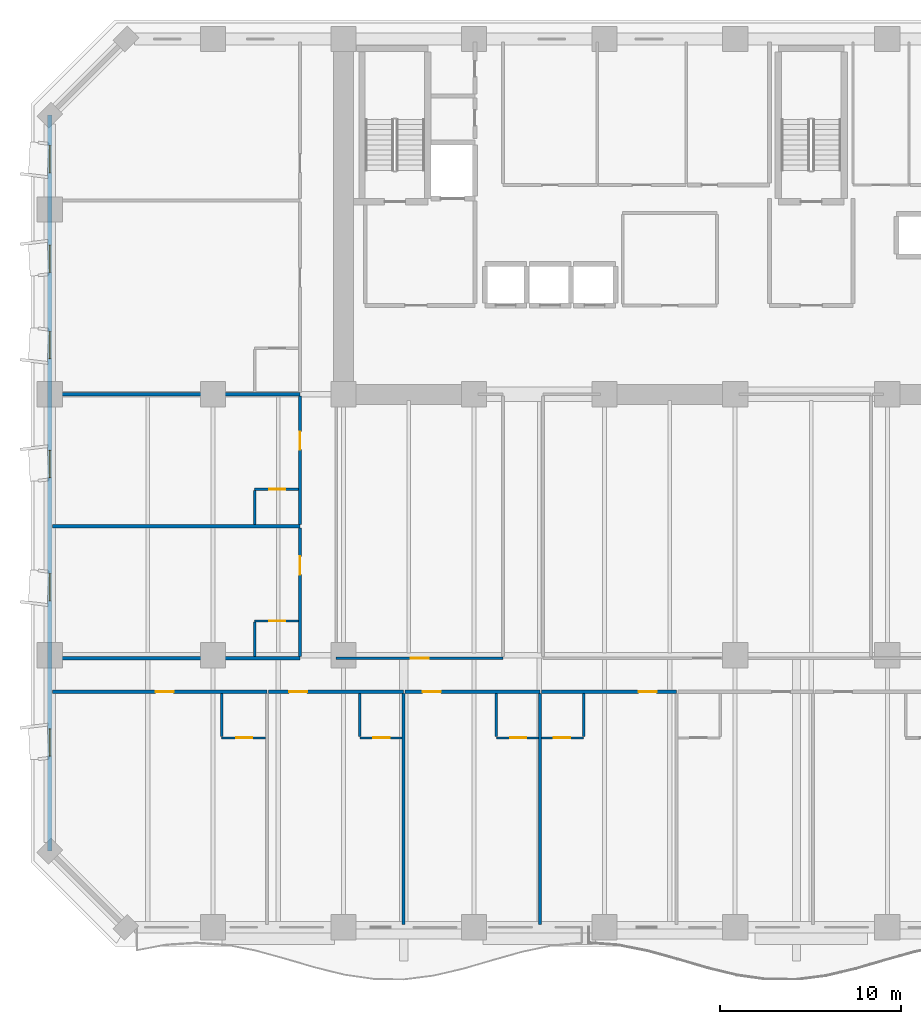
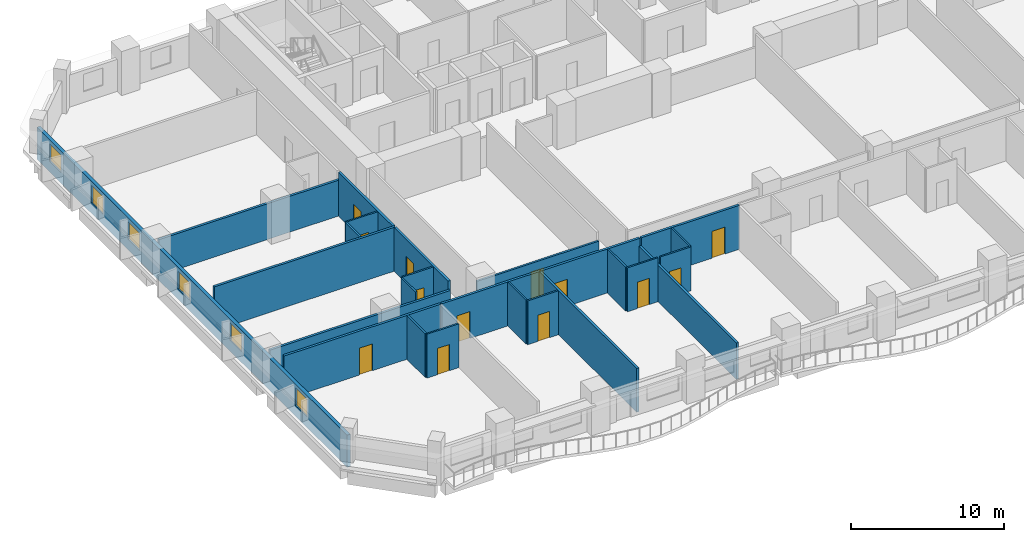
# One storey, part 4 of 15: 25 walls, 13 doors, 6 windows, 19 openings.
"""IFC4 building model written with IfcOpenShell, lengths in metres."""

import ifcopenshell
import ifcopenshell.guid

model = None  # the IFC model being written
_history = None  # IfcOwnerHistory: only IFC2X3 demands one
_inside = {}  # id of a spatial element -> (the spatial element, [elements in it])
_under = {}  # id of a project, library or spatial element -> (it, [spatial elements below it])
_declared = {}  # id of a project -> (the project, [libraries it declares])
_typed = {}  # id of a type object -> (the type object, [elements of that type])
_made_of = {}  # id of a material, layer set ... -> (it, [elements and type objects made of it])


def new_model(schema):
    """Start an empty IFC model of exactly this schema.

    Asked for "IFC4X3", IfcOpenShell would pick the latest addendum, in which some entities
    have other attributes; the version numbers below select the first issue.
    IFC2X3 requires an IfcOwnerHistory on every rooted entity: one is made here for all.
    """
    global model, _history
    if schema == "IFC4X3":
        model = ifcopenshell.file(schema_version=(4, 3, 0, 0))
    else:
        model = ifcopenshell.file(schema=schema)
    _inside.clear()
    _under.clear()
    _declared.clear()
    _typed.clear()
    _made_of.clear()
    _history = None
    if model.schema == "IFC2X3":
        org = make("IfcOrganization", Name="unknown")
        user = make(
            "IfcPersonAndOrganization",
            ThePerson=make("IfcPerson", FamilyName="unknown"),
            TheOrganization=org,
        )
        app = make(
            "IfcApplication",
            ApplicationDeveloper=org,
            Version="unknown",
            ApplicationFullName="unknown",
            ApplicationIdentifier="unknown",
        )
        _history = make(
            "IfcOwnerHistory",
            OwningUser=user,
            OwningApplication=app,
            ChangeAction="ADDED",
            CreationDate=0,
        )
    return model


def make(cls, **values):
    """One entity of the class cls with the attributes given. An attribute that is None is left unset."""
    return model.create_entity(
        cls, **{name: value for name, value in values.items() if value is not None}
    )


def rooted(cls, **values):
    """An entity with a GlobalId (a new one), such as an element, a storey or a relation."""
    return make(cls, GlobalId=ifcopenshell.guid.new(), OwnerHistory=_history, **values)


def si_unit(unit_type, name, prefix=None):
    """IfcSIUnit, for example si_unit("LENGTHUNIT", "METRE", prefix="MILLI")."""
    return make("IfcSIUnit", UnitType=unit_type, Prefix=prefix, Name=name)


def assignment(units):
    """IfcUnitAssignment: the units of a project."""
    return None if units is None else make("IfcUnitAssignment", Units=units)


def point(xyz):
    """IfcCartesianPoint."""
    return None if xyz is None else make("IfcCartesianPoint", Coordinates=xyz)


def direction(xyz):
    """IfcDirection."""
    return None if xyz is None else make("IfcDirection", DirectionRatios=xyz)


def frame(location, z_axis=None, x_axis=None):
    """IfcAxis2Placement3D, a coordinate frame: its origin and axes. An axis left out is left unset."""
    return make(
        "IfcAxis2Placement3D",
        Location=point(location),
        Axis=direction(z_axis),
        RefDirection=direction(x_axis),
    )


def frame_2d(location, x_axis=None):
    """IfcAxis2Placement2D, a coordinate frame in the plane: its origin and x axis."""
    return make(
        "IfcAxis2Placement2D", Location=point(location), RefDirection=direction(x_axis)
    )


def origin():
    """The frame at (0, 0, 0) with its axes left unset."""
    return frame((0.0, 0.0, 0.0))


def place(relative_to, where):
    """IfcLocalPlacement: puts the frame where relative to a parent placement (None: the world)."""
    return make(
        "IfcLocalPlacement", PlacementRelTo=relative_to, RelativePlacement=where
    )


def context(
    kind, dimensions, precision=None, world=None, true_north=None, identifier=None
):
    """IfcGeometricRepresentationContext, for example the 3D "Model" context."""
    return make(
        "IfcGeometricRepresentationContext",
        ContextIdentifier=identifier,
        ContextType=kind,
        CoordinateSpaceDimension=dimensions,
        Precision=precision,
        WorldCoordinateSystem=world,
        TrueNorth=true_north,
    )


def subcontext(parent, identifier, kind, view, scale=None):
    """IfcGeometricRepresentationSubContext, for example "Body" below "Model"."""
    return make(
        "IfcGeometricRepresentationSubContext",
        ContextIdentifier=identifier,
        ContextType=kind,
        ParentContext=parent,
        TargetScale=scale,
        TargetView=view,
    )


def project(units=None, contexts=None):
    """IfcProject with its units and contexts."""
    return rooted(
        "IfcProject",
        Name="project",
        RepresentationContexts=contexts,
        UnitsInContext=assignment(units),
    )


def spatial(cls, under=None, at=None, **own):
    """A site, building, storey or space (cls), placed at a placement, below another one or the project."""
    s = rooted(cls, ObjectPlacement=at, **own)
    if under is not None:
        _under.setdefault(under.id(), (under, []))[1].append(s)
    return s


def profile(cls, at=None, kind="AREA", **sizes):
    """A parametric profile (cls). Its sizes go by their IFC names, for example OverallWidth=200.0."""
    return make(cls, ProfileType=kind, Position=at, **sizes)


def rectangle(**sizes):
    """IfcRectangleProfileDef."""
    return profile("IfcRectangleProfileDef", **sizes)


def extrude(swept, where, along, depth):
    """IfcExtrudedAreaSolid: the profile swept, set in the frame where, extruded along a direction by depth."""
    return make(
        "IfcExtrudedAreaSolid",
        SweptArea=swept,
        Position=where,
        ExtrudedDirection=direction(along),
        Depth=depth,
    )


def shape(context_of_items, identifier, shape_type, items):
    """IfcShapeRepresentation: the items that make up one representation, for example the "Body"."""
    return make(
        "IfcShapeRepresentation",
        ContextOfItems=context_of_items,
        RepresentationIdentifier=identifier,
        RepresentationType=shape_type,
        Items=items,
    )


def material(Name=None, Category=None):
    """IfcMaterial."""
    return make("IfcMaterial", Name=Name, Category=Category)


def layer(
    of_material, thickness, ventilated=None, Name=None, Category=None, Priority=None
):
    """IfcMaterialLayer: one layer of a wall or slab, of a material (None: an air gap)."""
    return make(
        "IfcMaterialLayer",
        Material=of_material,
        LayerThickness=thickness,
        IsVentilated=ventilated,
        Name=Name,
        Category=Category,
        Priority=Priority,
    )


def layer_set(layers, Name=None):
    """IfcMaterialLayerSet."""
    return make("IfcMaterialLayerSet", MaterialLayers=layers, LayerSetName=Name)


def made_of(thing, what):
    """Note that an element or type object is made of a material, layer set ...; save() writes the relation."""
    if what is not None:
        _made_of.setdefault(what.id(), (what, []))[1].append(thing)
    return thing


def type_object(cls, material=None, **own):
    """A type object (cls), such as IfcWallType, which elements share."""
    return made_of(rooted(cls, **own), material)


def element(
    cls,
    number,
    at=None,
    inside=None,
    cuts=None,
    type_object=None,
    material=None,
    context=None,
    identifier="Body",
    shape_type=None,
    held_by="IfcProductDefinitionShape",
    body=None,
    shapes=None,
    **own,
):
    """One element of the class cls, such as IfcWall. Its Tag is "e" and its number.

    at: its placement. inside: the storey or other place that contains it. cuts: it is an
    opening in that element (IfcRelVoidsElement). A single representation is given by context,
    identifier, shape_type and body (its items); several are given by shapes. held_by: the class
    of the entity that holds the representations. save() writes the other relations.
    """
    e = rooted(cls, Tag="e%d" % number, ObjectPlacement=at, **own)
    if body is not None:
        shapes = [shape(context, identifier, shape_type, body)]
    if shapes is not None:
        e.Representation = make(held_by, Representations=shapes)
    if inside is not None:
        _inside.setdefault(inside.id(), (inside, []))[1].append(e)
    if cuts is not None:
        rooted(
            "IfcRelVoidsElement", RelatingBuildingElement=cuts, RelatedOpeningElement=e
        )
    if type_object is not None:
        _typed.setdefault(type_object.id(), (type_object, []))[1].append(e)
    return made_of(e, material)


def fill(opening, filler):
    """IfcRelFillsElement: the door or window that sits in an opening."""
    return rooted(
        "IfcRelFillsElement",
        RelatingOpeningElement=opening,
        RelatedBuildingElement=filler,
    )


def aggregate(whole, parts):
    """IfcRelAggregates: a whole, such as a stair, and the parts it consists of."""
    return rooted("IfcRelAggregates", RelatingObject=whole, RelatedObjects=parts)


def save(model, path):
    """Write the relations noted so far, then the file.

    IfcRelAggregates (storeys below a building ...), IfcRelContainedInSpatialStructure (elements
    in a storey), IfcRelDefinesByType, IfcRelAssociatesMaterial and IfcRelDeclares: one each for
    every whole, place, type object, material and project.
    """
    for whole, parts in _under.values():
        aggregate(whole, parts)
    for where, things in _inside.values():
        rooted(
            "IfcRelContainedInSpatialStructure",
            RelatedElements=things,
            RelatingStructure=where,
        )
    for kind, things in _typed.values():
        rooted("IfcRelDefinesByType", RelatedObjects=things, RelatingType=kind)
    for what, things in _made_of.values():
        rooted("IfcRelAssociatesMaterial", RelatedObjects=things, RelatingMaterial=what)
    for by, libraries in _declared.values():
        rooted("IfcRelDeclares", RelatingContext=by, RelatedDefinitions=libraries)
    model.write(path)


model = new_model("IFC4")

# Units and contexts
model_context = context("Model", 3, precision=1e-05, world=origin(), true_north=direction((0.0, 1.0)))
body_context = subcontext(model_context, "Body", "Model", "MODEL_VIEW")
ifc_project = project(units=[si_unit("LENGTHUNIT", "METRE"), si_unit("AREAUNIT", "SQUARE_METRE"), si_unit("VOLUMEUNIT", "CUBIC_METRE"), si_unit("PLANEANGLEUNIT", "RADIAN"), si_unit("MASSUNIT", "GRAM", prefix="KILO")], contexts=[model_context])

# Site, building, storey
site_placement = place(None, origin())
site = spatial("IfcSite", under=ifc_project, at=site_placement, CompositionType="ELEMENT")
building_placement = place(site_placement, origin())
building = spatial("IfcBuilding", under=site, at=building_placement, Name="Kaelvorn Grand Hotel", CompositionType="ELEMENT")
storey_placement = place(building_placement, frame((0.0, 0.0, 68.89990234375)))
storey = spatial("IfcBuildingStorey", under=building, at=storey_placement, Name="L15", CompositionType="ELEMENT", Elevation=68.89990234375)

# Wall, openings, windows
ifc_material_1 = material(Name="Concrete C40/50", Category="concrete")
ifc_layer_1 = layer(ifc_material_1, 0.260009765625)
ifc_layer_set_1 = layer_set([ifc_layer_1], Name="Concrete C40/50")
wall_type_1 = type_object("IfcWallType", Name="WL-EXT-260-C40", PredefinedType="SOLIDWALL", material=ifc_layer_set_1)
wall_1_placement = place(storey_placement, frame((0.0, 44.800048828125, 0.0), z_axis=(0.0, 0.0, 1.0), x_axis=(0.0, -1.0, 0.0)))
wall_1 = element("IfcWall", 1, at=wall_1_placement, inside=storey, type_object=wall_type_1, Name="L15 Exterior Architectural Concrete Wall 07", PredefinedType="SOLIDWALL", context=body_context, shape_type="SweptSolid", body=[
    extrude(rectangle(XDim=40.60009765625, YDim=0.260009765625, at=frame_2d((20.300048828125, 0.0))), origin(), (0.0, 0.0, 1.0), 2.56005859375),
])
opening_1_placement = place(wall_1_placement, frame((33.85009765625, 0.0, 0.85009765625)))
opening_1 = element("IfcOpeningElement", 2, at=opening_1_placement, cuts=wall_1, Name="Opening W10", PredefinedType="OPENING", context=body_context, shape_type="SweptSolid", body=[
    extrude(rectangle(XDim=1.5, YDim=1.39990234375, at=frame_2d((0.75, 0.699951171875))), frame((0.0, 0.14013671875, 0.0), z_axis=(0.0, -1.0, 0.0), x_axis=(1.0, 0.0, 0.0)), (0.0, 0.0, 1.0), 0.280029296875),
])
opening_2_placement = place(wall_1_placement, frame((25.2900390625, 0.0, 0.85009765625)))
opening_2 = element("IfcOpeningElement", 3, at=opening_2_placement, cuts=wall_1, Name="Opening W10", PredefinedType="OPENING", context=body_context, shape_type="SweptSolid", body=[
    extrude(rectangle(XDim=1.5, YDim=1.39990234375, at=frame_2d((0.75, 0.699951171875))), frame((0.0, 0.14013671875, 0.0), z_axis=(0.0, -1.0, 0.0), x_axis=(1.0, 0.0, 0.0)), (0.0, 0.0, 1.0), 0.280029296875),
])
opening_3_placement = place(wall_1_placement, frame((18.489990234375, 0.0, 0.85009765625)))
opening_3 = element("IfcOpeningElement", 4, at=opening_3_placement, cuts=wall_1, Name="Opening W10", PredefinedType="OPENING", context=body_context, shape_type="SweptSolid", body=[
    extrude(rectangle(XDim=1.5, YDim=1.39990234375, at=frame_2d((0.75, 0.699951171875))), frame((0.0, 0.14013671875, 0.0), z_axis=(0.0, -1.0, 0.0), x_axis=(1.0, 0.0, 0.0)), (0.0, 0.0, 1.0), 0.280029296875),
])
opening_4_placement = place(wall_1_placement, frame((11.93505859375, 0.0, 0.85009765625)))
opening_4 = element("IfcOpeningElement", 5, at=opening_4_placement, cuts=wall_1, Name="Opening W10", PredefinedType="OPENING", context=body_context, shape_type="SweptSolid", body=[
    extrude(rectangle(XDim=1.5, YDim=1.39990234375, at=frame_2d((0.75, 0.699951171875))), frame((0.0, 0.14013671875, 0.0), z_axis=(0.0, -1.0, 0.0), x_axis=(1.0, 0.0, 0.0)), (0.0, 0.0, 1.0), 0.280029296875),
])
opening_5_placement = place(wall_1_placement, frame((7.1650390625, 0.0, 0.85009765625)))
opening_5 = element("IfcOpeningElement", 6, at=opening_5_placement, cuts=wall_1, Name="Opening W10", PredefinedType="OPENING", context=body_context, shape_type="SweptSolid", body=[
    extrude(rectangle(XDim=1.5, YDim=1.39990234375, at=frame_2d((0.75, 0.699951171875))), frame((0.0, 0.14013671875, 0.0), z_axis=(0.0, -1.0, 0.0), x_axis=(1.0, 0.0, 0.0)), (0.0, 0.0, 1.0), 0.280029296875),
])
opening_6_placement = place(wall_1_placement, frame((1.68505859375, 0.0, 0.85009765625)))
opening_6 = element("IfcOpeningElement", 7, at=opening_6_placement, cuts=wall_1, Name="Opening W10", PredefinedType="OPENING", context=body_context, shape_type="SweptSolid", body=[
    extrude(rectangle(XDim=1.5, YDim=1.39990234375, at=frame_2d((0.75, 0.699951171875))), frame((0.0, 0.14013671875, 0.0), z_axis=(0.0, -1.0, 0.0), x_axis=(1.0, 0.0, 0.0)), (0.0, 0.0, 1.0), 0.280029296875),
])
ifc_material_2 = material(Name="Laminated Low-E Glass", Category="glass")
window_type = type_object("IfcWindowType", Name="WIN-COR-1500x1400", PartitioningType="SINGLE_PANEL", PredefinedType="WINDOW", material=ifc_material_2)
window_1_placement = place(opening_1_placement, origin())
window_1 = element("IfcWindow", 8, at=window_1_placement, inside=storey, type_object=window_type, Name="L15 W Wing Tilted-Frame Ribbon Window W01", OverallHeight=1.39990234375, OverallWidth=1.5, PartitioningType="SINGLE_PANEL", PredefinedType="WINDOW", context=body_context, shape_type="SweptSolid", body=[
    extrude(rectangle(XDim=1.5, YDim=1.39990234375, at=frame_2d((0.75, 0.699951171875))), frame((0.0, 0.030029296875, 0.0), z_axis=(0.0, -1.0, 0.0), x_axis=(1.0, 0.0, 0.0)), (0.0, 0.0, 1.0), 0.06005859375),
])
fill(opening_1, window_1)
window_2_placement = place(opening_2_placement, origin())
window_2 = element("IfcWindow", 9, at=window_2_placement, inside=storey, type_object=window_type, Name="L15 W Wing Tilted-Frame Ribbon Window W02", OverallHeight=1.39990234375, OverallWidth=1.5, PartitioningType="SINGLE_PANEL", PredefinedType="WINDOW", context=body_context, shape_type="SweptSolid", body=[
    extrude(rectangle(XDim=1.5, YDim=1.39990234375, at=frame_2d((0.75, 0.699951171875))), frame((0.0, 0.030029296875, 0.0), z_axis=(0.0, -1.0, 0.0), x_axis=(1.0, 0.0, 0.0)), (0.0, 0.0, 1.0), 0.06005859375),
])
fill(opening_2, window_2)
window_3_placement = place(opening_3_placement, origin())
window_3 = element("IfcWindow", 10, at=window_3_placement, inside=storey, type_object=window_type, Name="L15 W Wing Tilted-Frame Ribbon Window W03", OverallHeight=1.39990234375, OverallWidth=1.5, PartitioningType="SINGLE_PANEL", PredefinedType="WINDOW", context=body_context, shape_type="SweptSolid", body=[
    extrude(rectangle(XDim=1.5, YDim=1.39990234375, at=frame_2d((0.75, 0.699951171875))), frame((0.0, 0.030029296875, 0.0), z_axis=(0.0, -1.0, 0.0), x_axis=(1.0, 0.0, 0.0)), (0.0, 0.0, 1.0), 0.06005859375),
])
fill(opening_3, window_3)
window_4_placement = place(opening_4_placement, origin())
window_4 = element("IfcWindow", 11, at=window_4_placement, inside=storey, type_object=window_type, Name="L15 W Wing Tilted-Frame Ribbon Window W04", OverallHeight=1.39990234375, OverallWidth=1.5, PartitioningType="SINGLE_PANEL", PredefinedType="WINDOW", context=body_context, shape_type="SweptSolid", body=[
    extrude(rectangle(XDim=1.5, YDim=1.39990234375, at=frame_2d((0.75, 0.699951171875))), frame((0.0, 0.030029296875, 0.0), z_axis=(0.0, -1.0, 0.0), x_axis=(1.0, 0.0, 0.0)), (0.0, 0.0, 1.0), 0.06005859375),
])
fill(opening_4, window_4)
window_5_placement = place(opening_5_placement, origin())
window_5 = element("IfcWindow", 12, at=window_5_placement, inside=storey, type_object=window_type, Name="L15 W Wing Tilted-Frame Ribbon Window W05", OverallHeight=1.39990234375, OverallWidth=1.5, PartitioningType="SINGLE_PANEL", PredefinedType="WINDOW", context=body_context, shape_type="SweptSolid", body=[
    extrude(rectangle(XDim=1.5, YDim=1.39990234375, at=frame_2d((0.75, 0.699951171875))), frame((0.0, 0.030029296875, 0.0), z_axis=(0.0, -1.0, 0.0), x_axis=(1.0, 0.0, 0.0)), (0.0, 0.0, 1.0), 0.06005859375),
])
fill(opening_5, window_5)
window_6_placement = place(opening_6_placement, origin())
window_6 = element("IfcWindow", 13, at=window_6_placement, inside=storey, type_object=window_type, Name="L15 W Wing Tilted-Frame Ribbon Window W06", OverallHeight=1.39990234375, OverallWidth=1.5, PartitioningType="SINGLE_PANEL", PredefinedType="WINDOW", context=body_context, shape_type="SweptSolid", body=[
    extrude(rectangle(XDim=1.5, YDim=1.39990234375, at=frame_2d((0.75, 0.699951171875))), frame((0.0, 0.030029296875, 0.0), z_axis=(0.0, -1.0, 0.0), x_axis=(1.0, 0.0, 0.0)), (0.0, 0.0, 1.0), 0.06005859375),
])
fill(opening_6, window_6)

# Wall, opening, door
ifc_material_3 = material(Name="Moisture-Resistant Tile & Stud Board")
ifc_layer_2 = layer(ifc_material_3, 0.125)
ifc_layer_set_2 = layer_set([ifc_layer_2], Name="Moisture-Resistant Tile & Stud Board")
wall_type_2 = type_object("IfcWallType", Name="WL-PART-125-WET", PredefinedType="PARTITIONING", material=ifc_layer_set_2)
wall_2_placement = place(storey_placement, frame((9.47998046875, 10.449951171875, 0.0), z_axis=(0.0, 0.0, 1.0), x_axis=(1.0, 0.0, 0.0)))
wall_2 = element("IfcWall", 14, at=wall_2_placement, inside=storey, type_object=wall_type_2, Name="L15 En-suite Bathroom L15-01 S Partition", PredefinedType="PARTITIONING", context=body_context, shape_type="SweptSolid", body=[
    extrude(rectangle(XDim=2.405029296875, YDim=0.125, at=frame_2d((1.20263671875, 0.0))), origin(), (0.0, 0.0, 1.0), 3.510009765625),
])
opening_7_placement = place(wall_2_placement, frame((0.800048828125, 0.0, 0.0)))
opening_7 = element("IfcOpeningElement", 15, at=opening_7_placement, cuts=wall_2, Name="Opening DI4", PredefinedType="OPENING", context=body_context, shape_type="SweptSolid", body=[
    extrude(rectangle(XDim=0.89990234375, YDim=2.10009765625, at=frame_2d((0.449951171875, 1.050048828125))), frame((0.0, 0.072509765625, 0.0), z_axis=(0.0, -1.0, 0.0), x_axis=(1.0, 0.0, 0.0)), (0.0, 0.0, 1.0), 0.14501953125),
])
ifc_material_4 = material(Name="Timber Veneer Leaf", Category="wood")
door_type_1 = type_object("IfcDoorType", Name="DR-INT-BATH-900x2100", OperationType="NOTDEFINED", PredefinedType="DOOR", material=ifc_material_4)
door_1_placement = place(opening_7_placement, origin())
door_1 = element("IfcDoor", 16, at=door_1_placement, inside=storey, type_object=door_type_1, Name="L15 En-suite Bathroom L15-01 Door", OperationType="SINGLE_SWING_LEFT", OverallHeight=2.10009765625, OverallWidth=0.89990234375, PredefinedType="DOOR", context=body_context, shape_type="SweptSolid", body=[
    extrude(rectangle(XDim=0.89990234375, YDim=2.10009765625, at=frame_2d((0.449951171875, 1.050048828125))), frame((0.0, 0.02490234375, 0.0), z_axis=(0.0, -1.0, 0.0), x_axis=(1.0, 0.0, 0.0)), (0.0, 0.0, 1.0), 0.050048828125),
])
fill(opening_7, door_1)

# Wall
wall_3_placement = place(storey_placement, frame((9.47998046875, 10.517578125, 0.0), z_axis=(0.0, 0.0, 1.0), x_axis=(0.0, 1.0, 0.0)))
element("IfcWall", 17, at=wall_3_placement, inside=storey, type_object=wall_type_2, Name="L15 En-suite Bathroom L15-01 W Partition", PredefinedType="PARTITIONING", context=body_context, shape_type="SweptSolid", body=[
    extrude(rectangle(XDim=2.387451171875, YDim=0.125, at=frame_2d((1.19384765625, 0.0))), origin(), (0.0, 0.0, 1.0), 3.510009765625),
])

# Wall, opening, door
wall_4_placement = place(storey_placement, frame((17.10009765625, 10.449951171875, 0.0), z_axis=(0.0, 0.0, 1.0), x_axis=(1.0, 0.0, 0.0)))
wall_4 = element("IfcWall", 18, at=wall_4_placement, inside=storey, type_object=wall_type_2, Name="L15 En-suite Bathroom L15-02 S Partition", PredefinedType="PARTITIONING", context=body_context, shape_type="SweptSolid", body=[
    extrude(rectangle(XDim=2.315185546875, YDim=0.125, at=frame_2d((1.15771484375, 0.0))), origin(), (0.0, 0.0, 1.0), 3.510009765625),
])
opening_8_placement = place(wall_4_placement, frame((0.7548828125, 0.0, 0.0)))
opening_8 = element("IfcOpeningElement", 19, at=opening_8_placement, cuts=wall_4, Name="Opening DI4", PredefinedType="OPENING", context=body_context, shape_type="SweptSolid", body=[
    extrude(rectangle(XDim=0.89990234375, YDim=2.10009765625, at=frame_2d((0.449951171875, 1.050048828125))), frame((0.0, 0.072509765625, 0.0), z_axis=(0.0, -1.0, 0.0), x_axis=(1.0, 0.0, 0.0)), (0.0, 0.0, 1.0), 0.14501953125),
])
door_2_placement = place(opening_8_placement, origin())
door_2 = element("IfcDoor", 20, at=door_2_placement, inside=storey, type_object=door_type_1, Name="L15 En-suite Bathroom L15-02 Door", OperationType="SINGLE_SWING_LEFT", OverallHeight=2.10009765625, OverallWidth=0.89990234375, PredefinedType="DOOR", context=body_context, shape_type="SweptSolid", body=[
    extrude(rectangle(XDim=0.89990234375, YDim=2.10009765625, at=frame_2d((0.449951171875, 1.050048828125))), frame((0.0, 0.02490234375, 0.0), z_axis=(0.0, -1.0, 0.0), x_axis=(1.0, 0.0, 0.0)), (0.0, 0.0, 1.0), 0.050048828125),
])
fill(opening_8, door_2)

# Wall
wall_5_placement = place(storey_placement, frame((17.10009765625, 10.517578125, 0.0), z_axis=(0.0, 0.0, 1.0), x_axis=(0.0, 1.0, 0.0)))
element("IfcWall", 21, at=wall_5_placement, inside=storey, type_object=wall_type_2, Name="L15 En-suite Bathroom L15-02 W Partition", PredefinedType="PARTITIONING", context=body_context, shape_type="SweptSolid", body=[
    extrude(rectangle(XDim=2.387451171875, YDim=0.125, at=frame_2d((1.19384765625, 0.0))), origin(), (0.0, 0.0, 1.0), 3.510009765625),
])

# Wall, opening, door
wall_6_placement = place(storey_placement, frame((24.630126953125, 10.449951171875, 0.0), z_axis=(0.0, 0.0, 1.0), x_axis=(1.0, 0.0, 0.0)))
wall_6 = element("IfcWall", 22, at=wall_6_placement, inside=storey, type_object=wall_type_2, Name="L15 En-suite Bathroom L15-03 S Partition", PredefinedType="PARTITIONING", context=body_context, shape_type="SweptSolid", body=[
    extrude(rectangle(XDim=2.315185546875, YDim=0.125, at=frame_2d((1.15771484375, 0.0))), origin(), (0.0, 0.0, 1.0), 3.510009765625),
])
opening_9_placement = place(wall_6_placement, frame((0.7548828125, 0.0, 0.0)))
opening_9 = element("IfcOpeningElement", 23, at=opening_9_placement, cuts=wall_6, Name="Opening DI4", PredefinedType="OPENING", context=body_context, shape_type="SweptSolid", body=[
    extrude(rectangle(XDim=0.89990234375, YDim=2.10009765625, at=frame_2d((0.449951171875, 1.050048828125))), frame((0.0, 0.072509765625, 0.0), z_axis=(0.0, -1.0, 0.0), x_axis=(1.0, 0.0, 0.0)), (0.0, 0.0, 1.0), 0.14501953125),
])
door_3_placement = place(opening_9_placement, origin())
door_3 = element("IfcDoor", 24, at=door_3_placement, inside=storey, type_object=door_type_1, Name="L15 En-suite Bathroom L15-03 Door", OperationType="SINGLE_SWING_LEFT", OverallHeight=2.10009765625, OverallWidth=0.89990234375, PredefinedType="DOOR", context=body_context, shape_type="SweptSolid", body=[
    extrude(rectangle(XDim=0.89990234375, YDim=2.10009765625, at=frame_2d((0.449951171875, 1.050048828125))), frame((0.0, 0.02490234375, 0.0), z_axis=(0.0, -1.0, 0.0), x_axis=(1.0, 0.0, 0.0)), (0.0, 0.0, 1.0), 0.050048828125),
])
fill(opening_9, door_3)

# Wall
wall_7_placement = place(storey_placement, frame((24.630126953125, 10.517578125, 0.0), z_axis=(0.0, 0.0, 1.0), x_axis=(0.0, 1.0, 0.0)))
element("IfcWall", 25, at=wall_7_placement, inside=storey, type_object=wall_type_2, Name="L15 En-suite Bathroom L15-03 W Partition", PredefinedType="PARTITIONING", context=body_context, shape_type="SweptSolid", body=[
    extrude(rectangle(XDim=2.387451171875, YDim=0.125, at=frame_2d((1.19384765625, 0.0))), origin(), (0.0, 0.0, 1.0), 3.510009765625),
])

# Wall, opening, door
wall_8_placement = place(storey_placement, frame((27.13525390625, 10.449951171875, 0.0), z_axis=(0.0, 0.0, 1.0), x_axis=(1.0, 0.0, 0.0)))
wall_8 = element("IfcWall", 26, at=wall_8_placement, inside=storey, type_object=wall_type_2, Name="L15 En-suite Bathroom L15-04 S Partition", PredefinedType="PARTITIONING", context=body_context, shape_type="SweptSolid", body=[
    extrude(rectangle(XDim=2.31494140625, YDim=0.125, at=frame_2d((1.157470703125, 0.0))), origin(), (0.0, 0.0, 1.0), 3.510009765625),
])
opening_10_placement = place(wall_8_placement, frame((0.659912109375, 0.0, 0.0)))
opening_10 = element("IfcOpeningElement", 27, at=opening_10_placement, cuts=wall_8, Name="Opening DI4", PredefinedType="OPENING", context=body_context, shape_type="SweptSolid", body=[
    extrude(rectangle(XDim=0.89990234375, YDim=2.10009765625, at=frame_2d((0.449951171875, 1.050048828125))), frame((0.0, 0.072509765625, 0.0), z_axis=(0.0, -1.0, 0.0), x_axis=(1.0, 0.0, 0.0)), (0.0, 0.0, 1.0), 0.14501953125),
])
door_4_placement = place(opening_10_placement, origin())
door_4 = element("IfcDoor", 28, at=door_4_placement, inside=storey, type_object=door_type_1, Name="L15 En-suite Bathroom L15-04 Door", OperationType="SINGLE_SWING_LEFT", OverallHeight=2.10009765625, OverallWidth=0.89990234375, PredefinedType="DOOR", context=body_context, shape_type="SweptSolid", body=[
    extrude(rectangle(XDim=0.89990234375, YDim=2.10009765625, at=frame_2d((0.449951171875, 1.050048828125))), frame((0.0, 0.02490234375, 0.0), z_axis=(0.0, -1.0, 0.0), x_axis=(1.0, 0.0, 0.0)), (0.0, 0.0, 1.0), 0.050048828125),
])
fill(opening_10, door_4)

# Wall
wall_9_placement = place(storey_placement, frame((29.4501953125, 10.517578125, 0.0), z_axis=(0.0, 0.0, 1.0), x_axis=(0.0, 1.0, 0.0)))
element("IfcWall", 29, at=wall_9_placement, inside=storey, type_object=wall_type_2, Name="L15 En-suite Bathroom L15-04 E Partition", PredefinedType="PARTITIONING", context=body_context, shape_type="SweptSolid", body=[
    extrude(rectangle(XDim=2.387451171875, YDim=0.125, at=frame_2d((1.19384765625, 0.0))), origin(), (0.0, 0.0, 1.0), 3.510009765625),
])

# Wall, opening, door
wall_10_placement = place(storey_placement, frame((11.300048828125, 16.89990234375, 0.0), z_axis=(0.0, 0.0, 1.0), x_axis=(1.0, 0.0, 0.0)))
wall_10 = element("IfcWall", 30, at=wall_10_placement, inside=storey, type_object=wall_type_2, Name="L15 En-suite Bathroom L15-11 N Partition", PredefinedType="PARTITIONING", context=body_context, shape_type="SweptSolid", body=[
    extrude(rectangle(XDim=2.405029296875, YDim=0.125, at=frame_2d((1.20263671875, 0.0))), origin(), (0.0, 0.0, 1.0), 3.510009765625),
])
opening_11_placement = place(wall_10_placement, frame((0.800048828125, 0.0, 0.0)))
opening_11 = element("IfcOpeningElement", 31, at=opening_11_placement, cuts=wall_10, Name="Opening DI4", PredefinedType="OPENING", context=body_context, shape_type="SweptSolid", body=[
    extrude(rectangle(XDim=0.89990234375, YDim=2.10009765625, at=frame_2d((0.449951171875, 1.050048828125))), frame((0.0, 0.072509765625, 0.0), z_axis=(0.0, -1.0, 0.0), x_axis=(1.0, 0.0, 0.0)), (0.0, 0.0, 1.0), 0.14501953125),
])
door_5_placement = place(opening_11_placement, origin())
door_5 = element("IfcDoor", 32, at=door_5_placement, inside=storey, type_object=door_type_1, Name="L15 En-suite Bathroom L15-11 Door", OperationType="SINGLE_SWING_RIGHT", OverallHeight=2.10009765625, OverallWidth=0.89990234375, PredefinedType="DOOR", context=body_context, shape_type="SweptSolid", body=[
    extrude(rectangle(XDim=0.89990234375, YDim=2.10009765625, at=frame_2d((0.449951171875, 1.050048828125))), frame((0.0, 0.02490234375, 0.0), z_axis=(0.0, -1.0, 0.0), x_axis=(1.0, 0.0, 0.0)), (0.0, 0.0, 1.0), 0.050048828125),
])
fill(opening_11, door_5)

# Wall
wall_11_placement = place(storey_placement, frame((11.300048828125, 14.945068359375, 0.0), z_axis=(0.0, 0.0, 1.0), x_axis=(0.0, 1.0, 0.0)))
element("IfcWall", 33, at=wall_11_placement, inside=storey, type_object=wall_type_2, Name="L15 En-suite Bathroom L15-11 W Partition", PredefinedType="PARTITIONING", context=body_context, shape_type="SweptSolid", body=[
    extrude(rectangle(XDim=1.887451171875, YDim=0.125, at=frame_2d((0.94384765625, 0.0))), origin(), (0.0, 0.0, 1.0), 3.510009765625),
])

# Wall, opening, door
wall_12_placement = place(storey_placement, frame((11.300048828125, 24.169921875, 0.0), z_axis=(0.0, 0.0, 1.0), x_axis=(1.0, 0.0, 0.0)))
wall_12 = element("IfcWall", 34, at=wall_12_placement, inside=storey, type_object=wall_type_2, Name="L15 En-suite Bathroom L15-12 N Partition", PredefinedType="PARTITIONING", context=body_context, shape_type="SweptSolid", body=[
    extrude(rectangle(XDim=2.405029296875, YDim=0.125, at=frame_2d((1.20263671875, 0.0))), origin(), (0.0, 0.0, 1.0), 3.510009765625),
])
opening_12_placement = place(wall_12_placement, frame((0.800048828125, 0.0, 0.0)))
opening_12 = element("IfcOpeningElement", 35, at=opening_12_placement, cuts=wall_12, Name="Opening DI4", PredefinedType="OPENING", context=body_context, shape_type="SweptSolid", body=[
    extrude(rectangle(XDim=0.89990234375, YDim=2.10009765625, at=frame_2d((0.449951171875, 1.050048828125))), frame((0.0, 0.072509765625, 0.0), z_axis=(0.0, -1.0, 0.0), x_axis=(1.0, 0.0, 0.0)), (0.0, 0.0, 1.0), 0.14501953125),
])
door_6_placement = place(opening_12_placement, origin())
door_6 = element("IfcDoor", 36, at=door_6_placement, inside=storey, type_object=door_type_1, Name="L15 En-suite Bathroom L15-12 Door", OperationType="SINGLE_SWING_RIGHT", OverallHeight=2.10009765625, OverallWidth=0.89990234375, PredefinedType="DOOR", context=body_context, shape_type="SweptSolid", body=[
    extrude(rectangle(XDim=0.89990234375, YDim=2.10009765625, at=frame_2d((0.449951171875, 1.050048828125))), frame((0.0, 0.02490234375, 0.0), z_axis=(0.0, -1.0, 0.0), x_axis=(1.0, 0.0, 0.0)), (0.0, 0.0, 1.0), 0.050048828125),
])
fill(opening_12, door_6)

# Wall
wall_13_placement = place(storey_placement, frame((11.300048828125, 22.215087890625, 0.0), z_axis=(0.0, 0.0, 1.0), x_axis=(0.0, 1.0, 0.0)))
element("IfcWall", 37, at=wall_13_placement, inside=storey, type_object=wall_type_2, Name="L15 En-suite Bathroom L15-12 W Partition", PredefinedType="PARTITIONING", context=body_context, shape_type="SweptSolid", body=[
    extrude(rectangle(XDim=1.887451171875, YDim=0.125, at=frame_2d((0.94384765625, 0.0))), origin(), (0.0, 0.0, 1.0), 3.510009765625),
])

# Wall, opening, door
ifc_material_5 = material(Name="Acoustic Gypsum & Stud Partition")
ifc_layer_3 = layer(ifc_material_5, 0.14990234375)
ifc_layer_set_3 = layer_set([ifc_layer_3], Name="Acoustic Gypsum & Stud Partition")
wall_type_3 = type_object("IfcWallType", Name="WL-PART-150-EI60", PredefinedType="PARTITIONING", material=ifc_layer_set_3)
wall_14_placement = place(storey_placement, frame((15.800048828125, 14.85009765625, 0.0), z_axis=(0.0, 0.0, 1.0), x_axis=(1.0, 0.0, 0.0)))
wall_14 = element("IfcWall", 38, at=wall_14_placement, inside=storey, type_object=wall_type_3, Name="L15 Wellness Spa Salon S Partition", PredefinedType="PARTITIONING", context=body_context, shape_type="SweptSolid", body=[
    extrude(rectangle(XDim=9.199951171875, YDim=0.14990234375, at=frame_2d((4.60009765625, 0.0))), origin(), (0.0, 0.0, 1.0), 2.860107421875),
])
opening_13_placement = place(wall_14_placement, frame((4.10009765625, 0.0, 0.0)))
opening_13 = element("IfcOpeningElement", 39, at=opening_13_placement, cuts=wall_14, Name="Opening DI3", PredefinedType="OPENING", context=body_context, shape_type="SweptSolid", body=[
    extrude(rectangle(XDim=1.0, YDim=2.14990234375, at=frame_2d((0.5, 1.074951171875))), frame((0.0, 0.0849609375, 0.0), z_axis=(0.0, -1.0, 0.0), x_axis=(1.0, 0.0, 0.0)), (0.0, 0.0, 1.0), 0.169921875),
])
ifc_material_6 = material(Name="Timber Veneer Fire Leaf", Category="wood")
door_type_2 = type_object("IfcDoorType", Name="DR-INT-GUEST-1000x2150", OperationType="NOTDEFINED", PredefinedType="DOOR", material=ifc_material_6)
door_7_placement = place(opening_13_placement, origin())
door_7 = element("IfcDoor", 40, at=door_7_placement, inside=storey, type_object=door_type_2, Name="L15 Wellness Spa Salon Door", OperationType="SINGLE_SWING_RIGHT", OverallHeight=2.14990234375, OverallWidth=1.0, PredefinedType="DOOR", context=body_context, shape_type="SweptSolid", body=[
    extrude(rectangle(XDim=1.0, YDim=2.14990234375, at=frame_2d((0.5, 1.074951171875))), frame((0.0, 0.02490234375, 0.0), z_axis=(0.0, -1.0, 0.0), x_axis=(1.0, 0.0, 0.0)), (0.0, 0.0, 1.0), 0.050048828125),
])
fill(opening_13, door_7)

ifc_layer_4 = layer(ifc_material_5, 0.179931640625)
ifc_layer_set_4 = layer_set([ifc_layer_4], Name="Acoustic Gypsum & Stud Partition")
wall_type_4 = type_object("IfcWallType", Name="WL-PART-180-EI60", PredefinedType="PARTITIONING", material=ifc_layer_set_4)
wall_15_placement = place(storey_placement, frame((0.14990234375, 13.0, 0.0), z_axis=(0.0, 0.0, 1.0), x_axis=(1.0, 0.0, 0.0)))
wall_15 = element("IfcWall", 41, at=wall_15_placement, inside=storey, type_object=wall_type_4, Name="L15 Deluxe Panoramic Suite L15-01 N Partition", PredefinedType="PARTITIONING", context=body_context, shape_type="SweptSolid", body=[
    extrude(rectangle(XDim=11.830078125, YDim=0.179931640625, at=frame_2d((5.9150390625, 0.0))), origin(), (0.0, 0.0, 1.0), 3.510009765625),
])
opening_14_placement = place(wall_15_placement, frame((5.68505859375, 0.0, 0.0)))
opening_14 = element("IfcOpeningElement", 42, at=opening_14_placement, cuts=wall_15, Name="Opening DI3", PredefinedType="OPENING", context=body_context, shape_type="SweptSolid", body=[
    extrude(rectangle(XDim=1.0, YDim=2.14990234375, at=frame_2d((0.5, 1.074951171875))), frame((0.0, 0.10009765625, 0.0), z_axis=(0.0, -1.0, 0.0), x_axis=(1.0, 0.0, 0.0)), (0.0, 0.0, 1.0), 0.199951171875),
])
door_8_placement = place(opening_14_placement, origin())
door_8 = element("IfcDoor", 43, at=door_8_placement, inside=storey, type_object=door_type_2, Name="L15 Deluxe Panoramic Suite L15-01 Door", OperationType="SINGLE_SWING_RIGHT", OverallHeight=2.14990234375, OverallWidth=1.0, PredefinedType="DOOR", context=body_context, shape_type="SweptSolid", body=[
    extrude(rectangle(XDim=1.0, YDim=2.14990234375, at=frame_2d((0.5, 1.074951171875))), frame((0.0, 0.02490234375, 0.0), z_axis=(0.0, -1.0, 0.0), x_axis=(1.0, 0.0, 0.0)), (0.0, 0.0, 1.0), 0.050048828125),
])
fill(opening_14, door_8)

wall_16_placement = place(storey_placement, frame((12.0751953125, 13.0, 0.0), z_axis=(0.0, 0.0, 1.0), x_axis=(1.0, 0.0, 0.0)))
wall_16 = element("IfcWall", 44, at=wall_16_placement, inside=storey, type_object=wall_type_4, Name="L15 Deluxe Panoramic Suite L15-02 N Partition", PredefinedType="PARTITIONING", context=body_context, shape_type="SweptSolid", body=[
    extrude(rectangle(XDim=7.43505859375, YDim=0.179931640625, at=frame_2d((3.717529296875, 0.0))), origin(), (0.0, 0.0, 1.0), 3.510009765625),
])
opening_15_placement = place(wall_16_placement, frame((1.125, 0.0, 0.0)))
opening_15 = element("IfcOpeningElement", 45, at=opening_15_placement, cuts=wall_16, Name="Opening DI3", PredefinedType="OPENING", context=body_context, shape_type="SweptSolid", body=[
    extrude(rectangle(XDim=1.0, YDim=2.14990234375, at=frame_2d((0.5, 1.074951171875))), frame((0.0, 0.10009765625, 0.0), z_axis=(0.0, -1.0, 0.0), x_axis=(1.0, 0.0, 0.0)), (0.0, 0.0, 1.0), 0.199951171875),
])
door_9_placement = place(opening_15_placement, origin())
door_9 = element("IfcDoor", 46, at=door_9_placement, inside=storey, type_object=door_type_2, Name="L15 Deluxe Panoramic Suite L15-02 Door", OperationType="SINGLE_SWING_RIGHT", OverallHeight=2.14990234375, OverallWidth=1.0, PredefinedType="DOOR", context=body_context, shape_type="SweptSolid", body=[
    extrude(rectangle(XDim=1.0, YDim=2.14990234375, at=frame_2d((0.5, 1.074951171875))), frame((0.0, 0.02490234375, 0.0), z_axis=(0.0, -1.0, 0.0), x_axis=(1.0, 0.0, 0.0)), (0.0, 0.0, 1.0), 0.050048828125),
])
fill(opening_15, door_9)

# Wall
wall_17_placement = place(storey_placement, frame((19.51025390625, 0.14990234375, 0.0), z_axis=(0.0, 0.0, 1.0), x_axis=(0.0, 1.0, 0.0)))
element("IfcWall", 47, at=wall_17_placement, inside=storey, type_object=wall_type_4, Name="L15 Deluxe Panoramic Suite L15-02 E Partition", PredefinedType="PARTITIONING", context=body_context, shape_type="SweptSolid", body=[
    extrude(rectangle(XDim=12.755126953125, YDim=0.179931640625, at=frame_2d((6.37744140625, 0.0))), origin(), (0.0, 0.0, 1.0), 3.510009765625),
])

# Wall, opening, door
wall_18_placement = place(storey_placement, frame((19.605224609375, 13.0, 0.0), z_axis=(0.0, 0.0, 1.0), x_axis=(1.0, 0.0, 0.0)))
wall_18 = element("IfcWall", 48, at=wall_18_placement, inside=storey, type_object=wall_type_4, Name="L15 Deluxe Panoramic Suite L15-03 N Partition", PredefinedType="PARTITIONING", context=body_context, shape_type="SweptSolid", body=[
    extrude(rectangle(XDim=7.43505859375, YDim=0.179931640625, at=frame_2d((3.717529296875, 0.0))), origin(), (0.0, 0.0, 1.0), 3.510009765625),
])
opening_16_placement = place(wall_18_placement, frame((0.9599609375, 0.0, 0.0)))
opening_16 = element("IfcOpeningElement", 49, at=opening_16_placement, cuts=wall_18, Name="Opening DI3", PredefinedType="OPENING", context=body_context, shape_type="SweptSolid", body=[
    extrude(rectangle(XDim=1.0, YDim=2.14990234375, at=frame_2d((0.5, 1.074951171875))), frame((0.0, 0.10009765625, 0.0), z_axis=(0.0, -1.0, 0.0), x_axis=(1.0, 0.0, 0.0)), (0.0, 0.0, 1.0), 0.199951171875),
])
door_10_placement = place(opening_16_placement, origin())
door_10 = element("IfcDoor", 50, at=door_10_placement, inside=storey, type_object=door_type_2, Name="L15 Deluxe Panoramic Suite L15-03 Door", OperationType="SINGLE_SWING_RIGHT", OverallHeight=2.14990234375, OverallWidth=1.0, PredefinedType="DOOR", context=body_context, shape_type="SweptSolid", body=[
    extrude(rectangle(XDim=1.0, YDim=2.14990234375, at=frame_2d((0.5, 1.074951171875))), frame((0.0, 0.02490234375, 0.0), z_axis=(0.0, -1.0, 0.0), x_axis=(1.0, 0.0, 0.0)), (0.0, 0.0, 1.0), 0.050048828125),
])
fill(opening_16, door_10)

# Wall
wall_19_placement = place(storey_placement, frame((27.040283203125, 0.14990234375, 0.0), z_axis=(0.0, 0.0, 1.0), x_axis=(0.0, 1.0, 0.0)))
element("IfcWall", 51, at=wall_19_placement, inside=storey, type_object=wall_type_4, Name="L15 Deluxe Panoramic Suite L15-03 E Partition", PredefinedType="PARTITIONING", context=body_context, shape_type="SweptSolid", body=[
    extrude(rectangle(XDim=12.755126953125, YDim=0.179931640625, at=frame_2d((6.37744140625, 0.0))), origin(), (0.0, 0.0, 1.0), 2.89794921875),
])

# Wall, opening, door
wall_20_placement = place(storey_placement, frame((27.13525390625, 13.0, 0.0), z_axis=(0.0, 0.0, 1.0), x_axis=(1.0, 0.0, 0.0)))
wall_20 = element("IfcWall", 52, at=wall_20_placement, inside=storey, type_object=wall_type_4, Name="L15 Deluxe Panoramic Suite L15-04 N Partition", PredefinedType="PARTITIONING", context=body_context, shape_type="SweptSolid", body=[
    extrude(rectangle(XDim=7.43505859375, YDim=0.179931640625, at=frame_2d((3.717529296875, 0.0))), origin(), (0.0, 0.0, 1.0), 3.510009765625),
])
opening_17_placement = place(wall_20_placement, frame((5.33984375, 0.0, 0.0)))
opening_17 = element("IfcOpeningElement", 53, at=opening_17_placement, cuts=wall_20, Name="Opening DI3", PredefinedType="OPENING", context=body_context, shape_type="SweptSolid", body=[
    extrude(rectangle(XDim=1.0, YDim=2.14990234375, at=frame_2d((0.5, 1.074951171875))), frame((0.0, 0.10009765625, 0.0), z_axis=(0.0, -1.0, 0.0), x_axis=(1.0, 0.0, 0.0)), (0.0, 0.0, 1.0), 0.199951171875),
])
door_11_placement = place(opening_17_placement, origin())
door_11 = element("IfcDoor", 54, at=door_11_placement, inside=storey, type_object=door_type_2, Name="L15 Deluxe Panoramic Suite L15-04 Door", OperationType="SINGLE_SWING_RIGHT", OverallHeight=2.14990234375, OverallWidth=1.0, PredefinedType="DOOR", context=body_context, shape_type="SweptSolid", body=[
    extrude(rectangle(XDim=1.0, YDim=2.14990234375, at=frame_2d((0.5, 1.074951171875))), frame((0.0, 0.02490234375, 0.0), z_axis=(0.0, -1.0, 0.0), x_axis=(1.0, 0.0, 0.0)), (0.0, 0.0, 1.0), 0.050048828125),
])
fill(opening_17, door_11)

# Walls
wall_21_placement = place(storey_placement, frame((0.14990234375, 14.85009765625, 0.0), z_axis=(0.0, 0.0, 1.0), x_axis=(1.0, 0.0, 0.0)))
element("IfcWall", 55, at=wall_21_placement, inside=storey, type_object=wall_type_4, Name="L15 West Wing Panoramic Suite L15-11 S Partition", PredefinedType="PARTITIONING", context=body_context, shape_type="SweptSolid", body=[
    extrude(rectangle(XDim=13.650146484375, YDim=0.179931640625, at=frame_2d((6.8251953125, 0.0))), origin(), (0.0, 0.0, 1.0), 2.860107421875),
])
wall_22_placement = place(storey_placement, frame((0.14990234375, 22.1201171875, 0.0), z_axis=(0.0, 0.0, 1.0), x_axis=(1.0, 0.0, 0.0)))
element("IfcWall", 56, at=wall_22_placement, inside=storey, type_object=wall_type_4, Name="L15 West Wing Panoramic Suite L15-11 N Partition", PredefinedType="PARTITIONING", context=body_context, shape_type="SweptSolid", body=[
    extrude(rectangle(XDim=13.650146484375, YDim=0.179931640625, at=frame_2d((6.8251953125, 0.0))), origin(), (0.0, 0.0, 1.0), 3.510009765625),
])

# Wall, opening, door
wall_23_placement = place(storey_placement, frame((13.800048828125, 14.945068359375, 0.0), z_axis=(0.0, 0.0, 1.0), x_axis=(0.0, 1.0, 0.0)))
wall_23 = element("IfcWall", 57, at=wall_23_placement, inside=storey, type_object=wall_type_4, Name="L15 West Wing Panoramic Suite L15-11 E Partition", PredefinedType="PARTITIONING", context=body_context, shape_type="SweptSolid", body=[
    extrude(rectangle(XDim=7.079833984375, YDim=0.179931640625, at=frame_2d((3.5400390625, 0.0))), origin(), (0.0, 0.0, 1.0), 3.510009765625),
])
opening_18_placement = place(wall_23_placement, frame((4.514892578125, 0.0, 0.0)))
opening_18 = element("IfcOpeningElement", 58, at=opening_18_placement, cuts=wall_23, Name="Opening DI3", PredefinedType="OPENING", context=body_context, shape_type="SweptSolid", body=[
    extrude(rectangle(XDim=1.0, YDim=2.14990234375, at=frame_2d((0.5, 1.074951171875))), frame((0.0, 0.10009765625, 0.0), z_axis=(0.0, -1.0, 0.0), x_axis=(1.0, 0.0, 0.0)), (0.0, 0.0, 1.0), 0.199951171875),
])
door_12_placement = place(opening_18_placement, origin())
door_12 = element("IfcDoor", 59, at=door_12_placement, inside=storey, type_object=door_type_2, Name="L15 West Wing Panoramic Suite L15-11 Door", OperationType="SINGLE_SWING_LEFT", OverallHeight=2.14990234375, OverallWidth=1.0, PredefinedType="DOOR", context=body_context, shape_type="SweptSolid", body=[
    extrude(rectangle(XDim=1.0, YDim=2.14990234375, at=frame_2d((0.5, 1.074951171875))), frame((0.0, 0.02490234375, 0.0), z_axis=(0.0, -1.0, 0.0), x_axis=(1.0, 0.0, 0.0)), (0.0, 0.0, 1.0), 0.050048828125),
])
fill(opening_18, door_12)

# Wall
wall_24_placement = place(storey_placement, frame((0.14990234375, 29.39990234375, 0.0), z_axis=(0.0, 0.0, 1.0), x_axis=(1.0, 0.0, 0.0)))
element("IfcWall", 60, at=wall_24_placement, inside=storey, type_object=wall_type_4, Name="L15 West Mid-Wing Suite L15-12 N Partition", PredefinedType="PARTITIONING", context=body_context, shape_type="SweptSolid", body=[
    extrude(rectangle(XDim=13.650146484375, YDim=0.179931640625, at=frame_2d((6.8251953125, 0.0))), origin(), (0.0, 0.0, 1.0), 2.860107421875),
])

# Wall, opening, door
wall_25_placement = place(storey_placement, frame((13.800048828125, 22.215087890625, 0.0), z_axis=(0.0, 0.0, 1.0), x_axis=(0.0, 1.0, 0.0)))
wall_25 = element("IfcWall", 61, at=wall_25_placement, inside=storey, type_object=wall_type_4, Name="L15 West Mid-Wing Suite L15-12 E Partition", PredefinedType="PARTITIONING", context=body_context, shape_type="SweptSolid", body=[
    extrude(rectangle(XDim=7.08984375, YDim=0.179931640625, at=frame_2d((3.544921875, 0.0))), origin(), (0.0, 0.0, 1.0), 3.510009765625),
])
opening_19_placement = place(wall_25_placement, frame((4.1298828125, 0.0, 0.0)))
opening_19 = element("IfcOpeningElement", 62, at=opening_19_placement, cuts=wall_25, Name="Opening DI3", PredefinedType="OPENING", context=body_context, shape_type="SweptSolid", body=[
    extrude(rectangle(XDim=1.0, YDim=2.14990234375, at=frame_2d((0.5, 1.074951171875))), frame((0.0, 0.10009765625, 0.0), z_axis=(0.0, -1.0, 0.0), x_axis=(1.0, 0.0, 0.0)), (0.0, 0.0, 1.0), 0.199951171875),
])
door_13_placement = place(opening_19_placement, origin())
door_13 = element("IfcDoor", 63, at=door_13_placement, inside=storey, type_object=door_type_2, Name="L15 West Mid-Wing Suite L15-12 Door", OperationType="SINGLE_SWING_LEFT", OverallHeight=2.14990234375, OverallWidth=1.0, PredefinedType="DOOR", context=body_context, shape_type="SweptSolid", body=[
    extrude(rectangle(XDim=1.0, YDim=2.14990234375, at=frame_2d((0.5, 1.074951171875))), frame((0.0, 0.02490234375, 0.0), z_axis=(0.0, -1.0, 0.0), x_axis=(1.0, 0.0, 0.0)), (0.0, 0.0, 1.0), 0.050048828125),
])
fill(opening_19, door_13)

save(model, "model.ifc")
